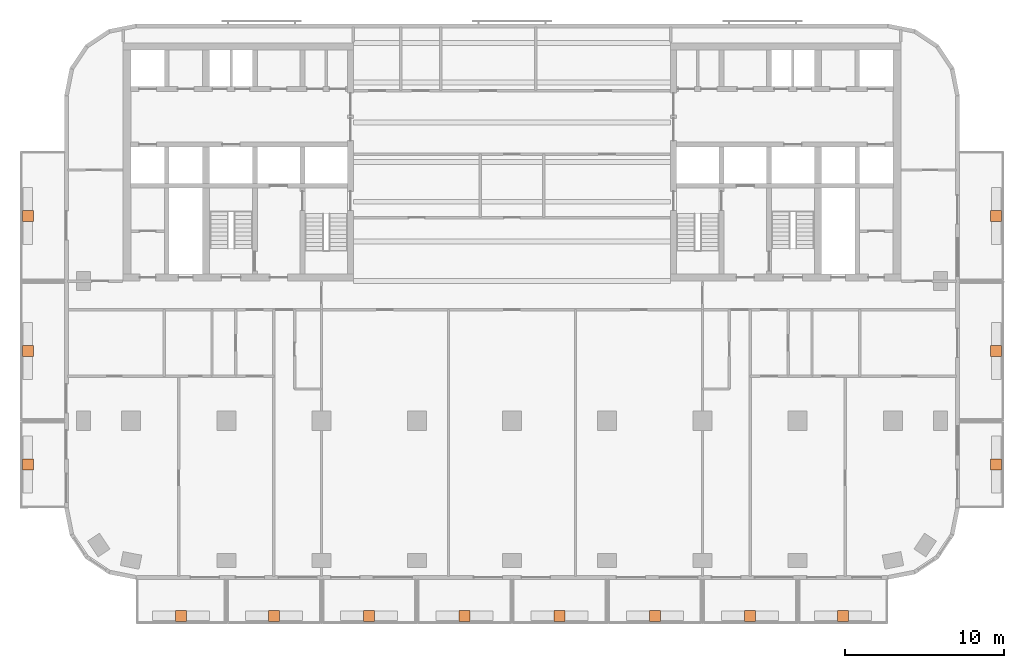
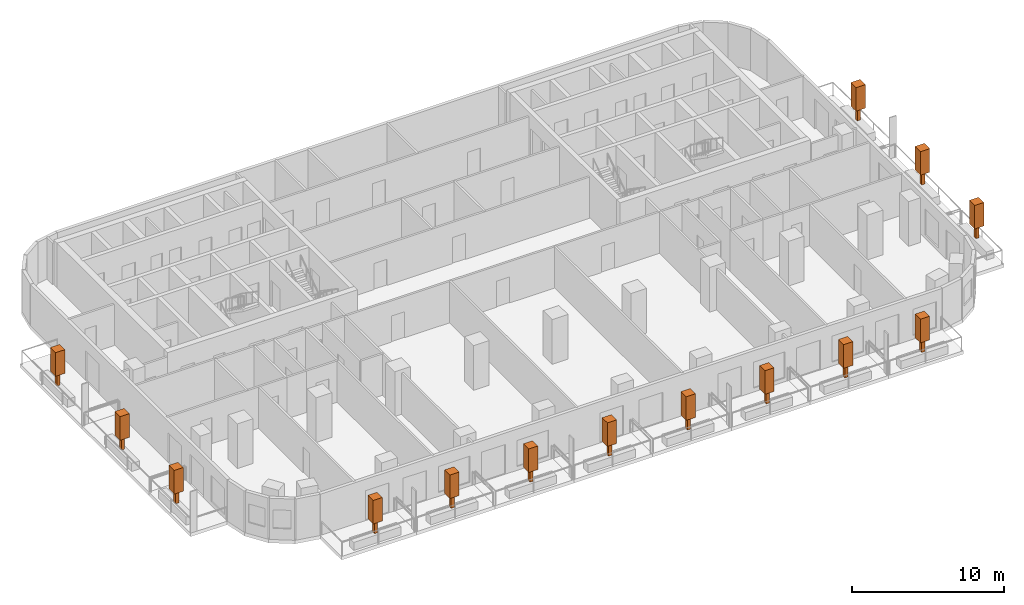
# One storey, part 11 of 11: 14 geographic elements.
"""IFC4 building model written with IfcOpenShell, lengths in metres."""

from ifc_helpers import new_model, si_unit, direction, frame, origin, origin_2d, place, context, subcontext, project, spatial, rectangle, extrude, material, element, save


model = new_model("IFC4")

# Units and contexts
model_context = context("Model", 3, precision=1e-05, world=origin(), true_north=direction((0.0, 1.0)))
body_context = subcontext(model_context, "Body", "Model", "MODEL_VIEW")
ifc_project = project(units=[si_unit("LENGTHUNIT", "METRE"), si_unit("AREAUNIT", "SQUARE_METRE"), si_unit("VOLUMEUNIT", "CUBIC_METRE"), si_unit("PLANEANGLEUNIT", "RADIAN"), si_unit("MASSUNIT", "GRAM", prefix="KILO")], contexts=[model_context])

# Site, building, storey
site_placement = place(None, origin())
site = spatial("IfcSite", under=ifc_project, at=site_placement, CompositionType="ELEMENT")
building_placement = place(site_placement, origin())
building = spatial("IfcBuilding", under=site, at=building_placement, Name="Torana Hotel and Residences", CompositionType="ELEMENT")
storey_placement = place(building_placement, frame((0.0, 0.0, 152.39990234375)))
storey = spatial("IfcBuildingStorey", under=building, at=storey_placement, Name="L39", CompositionType="ELEMENT", Elevation=152.39990234375)

# Geographic elements
ifc_material = material(Name="Foliage", Category="planting")
for number, where, z_axis, x_axis, name in (
    (1, (-20.85009765625, -36.10009765625, 0.650146484375), (0.0, 0.0, 1.0), (1.0, 0.0, 0.0), "Tree 01"),
    (2, (-15.0, -36.10009765625, 0.650146484375), (0.0, 0.0, 1.0), (1.0, 0.0, 0.0), "Tree 02"),
    (3, (-9.0, -36.10009765625, 0.650146484375), (0.0, 0.0, 1.0), (1.0, 0.0, 0.0), "Tree 03"),
    (4, (-3.0, -36.10009765625, 0.650146484375), (0.0, 0.0, 1.0), (1.0, 0.0, 0.0), "Tree 04"),
    (5, (3.0, -36.10009765625, 0.650146484375), (0.0, 0.0, 1.0), (1.0, 0.0, 0.0), "Tree 05"),
    (6, (9.0, -36.10009765625, 0.650146484375), (0.0, 0.0, 1.0), (1.0, 0.0, 0.0), "Tree 06"),
    (7, (15.0, -36.10009765625, 0.650146484375), (0.0, 0.0, 1.0), (1.0, 0.0, 0.0), "Tree 07"),
    (8, (20.85009765625, -36.10009765625, 0.650146484375), (0.0, 0.0, 1.0), (1.0, 0.0, 0.0), "Tree 08"),
    (9, (-30.5, -26.550048828125, 0.650146484375), (0.0, 0.0, 1.0), (1.0, 0.0, 0.0), "Tree 09"),
    (10, (-30.5, -19.39990234375, 0.650146484375), (0.0, 0.0, 1.0), (1.0, 0.0, 0.0), "Tree 10"),
    (11, (-30.5, -10.89990234375, 0.650146484375), (0.0, 0.0, 1.0), (1.0, 0.0, 0.0), "Tree 11"),
    (12, (30.5, -26.550048828125, 0.650146484375), (0.0, 0.0, 1.0), (1.0, 0.0, 0.0), "Tree 12"),
    (13, (30.5, -19.39990234375, 0.650146484375), (0.0, 0.0, 1.0), (1.0, 0.0, 0.0), "Tree 13"),
    (14, (30.5, -10.89990234375, 0.650146484375), (0.0, 0.0, 1.0), (1.0, 0.0, 0.0), "Tree 14"),
):
    element("IfcGeographicElement", number, at=place(storey_placement, frame(where, z_axis=z_axis, x_axis=x_axis)), inside=storey, material=ifc_material, Name=name, ObjectType="TREE", PredefinedType="USERDEFINED", context=body_context, shape_type="SweptSolid", body=[
        extrude(rectangle(XDim=0.25, YDim=0.25, at=origin_2d()), origin(), (0.0, 0.0, 1.0), 1.0),
        extrude(rectangle(XDim=0.699951171875, YDim=0.699951171875, at=origin_2d()), frame((0.0, 0.0, 1.0)), (0.0, 0.0, 1.0), 1.89990234375),
    ])

save(model, "model.ifc")
